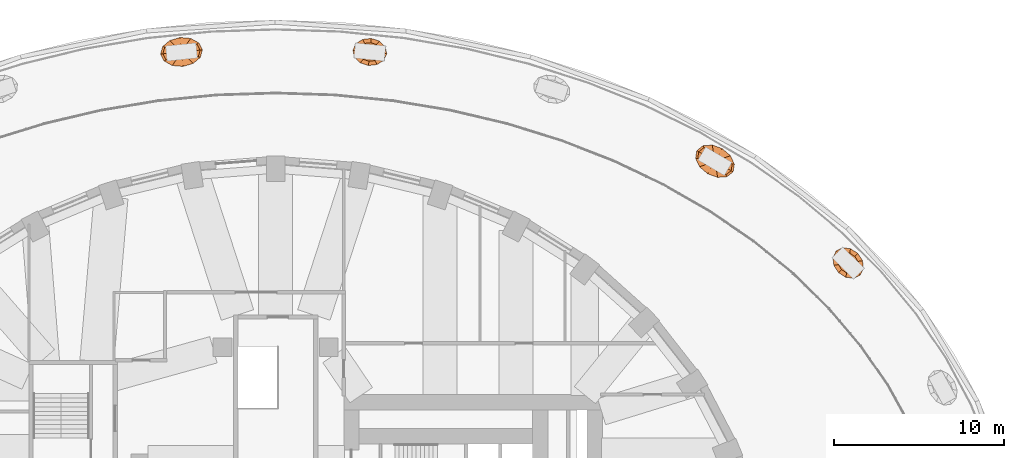
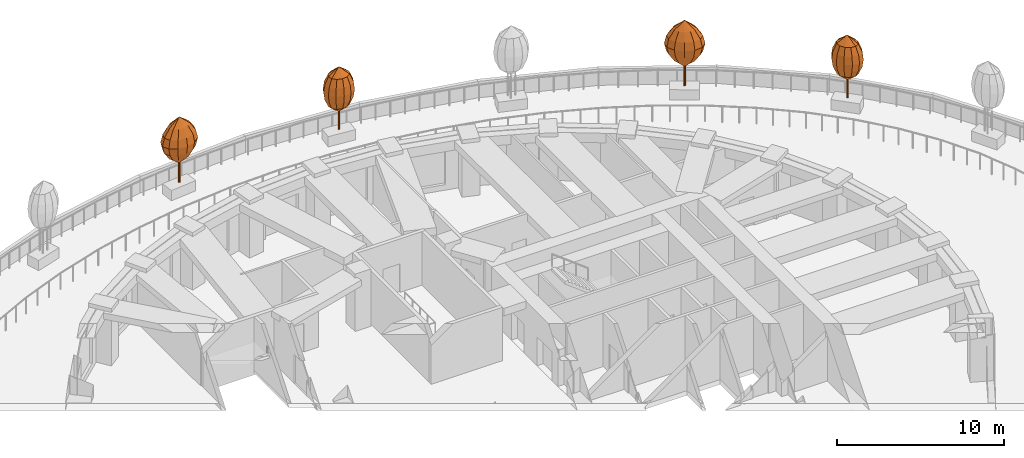
# One storey, part 17 of 17: 4 geographic elements.
"""IFC4 building model written with IfcOpenShell, lengths in metres."""

from ifc_helpers import new_model, si_unit, direction, frame, origin, place, context, subcontext, project, spatial, faceted_brep, material, constituent, constituent_set, type_object, element, save


model = new_model("IFC4")

# Units and contexts
model_context = context("Model", 3, precision=1e-05, world=origin(), true_north=direction((0.0, 1.0)))
body_context = subcontext(model_context, "Body", "Model", "MODEL_VIEW")
ifc_project = project(units=[si_unit("LENGTHUNIT", "METRE"), si_unit("AREAUNIT", "SQUARE_METRE"), si_unit("VOLUMEUNIT", "CUBIC_METRE"), si_unit("PLANEANGLEUNIT", "RADIAN"), si_unit("MASSUNIT", "GRAM", prefix="KILO")], contexts=[model_context])

# Site, building, storey
site_placement = place(None, origin())
site = spatial("IfcSite", under=ifc_project, at=site_placement, CompositionType="ELEMENT")
building_placement = place(site_placement, origin())
building = spatial("IfcBuilding", under=site, at=building_placement, Name="Taillehof Tower", CompositionType="ELEMENT")
storey_placement = place(building_placement, frame((0.0, 0.0, 17.5)))
storey = spatial("IfcBuildingStorey", under=building, at=storey_placement, Name="L03", CompositionType="ELEMENT", Elevation=17.5)

# Geographic elements
ifc_material_1 = material(Name="Tree bark", Category="timber")
ifc_constituent_1 = constituent(ifc_material_1, Name="Trunk", Category="timber")
ifc_material_2 = material(Name="Tree foliage")
ifc_constituent_2 = constituent(ifc_material_2, Name="Crown")
ifc_constituent_set_1 = constituent_set(constituents=[ifc_constituent_1, ifc_constituent_2], Name="Tree TR6 Field maple")
geographic_element_type_1 = type_object("IfcGeographicElementType", Name="Tree TR6 Field maple", PredefinedType="USERDEFINED", material=ifc_constituent_set_1)
geographic_element_1_placement = place(storey_placement, frame((25.8115234375, 25.70458984375, 0.75)))
element("IfcGeographicElement", 1, at=geographic_element_1_placement, inside=storey, type_object=geographic_element_type_1, Name="Tree TR6 Field maple", ObjectType="TREE", PredefinedType="USERDEFINED", context=body_context, shape_type="Brep", body=[
    faceted_brep([(0.070068359375, 0.0, 0.0), (0.049560546875, 0.049560546875, 0.0), (0.049560546875, 0.049560546875, 2.590087890625), (0.070068359375, 0.0, 2.590087890625), (0.0, 0.070068359375, 0.0), (0.0, 0.070068359375, 2.590087890625), (-0.049560546875, 0.049560546875, 0.0), (-0.049560546875, 0.049560546875, 2.590087890625), (-0.070068359375, 0.0, 0.0), (-0.070068359375, 0.0, 2.590087890625), (-0.049560546875, -0.049560546875, 0.0), (-0.049560546875, -0.049560546875, 2.590087890625), (0.0, -0.070068359375, 0.0), (0.0, -0.070068359375, 2.590087890625), (0.049560546875, -0.049560546875, 0.0), (0.049560546875, -0.049560546875, 2.590087890625)], [[[0, 1, 2, 3]], [[1, 4, 5, 2]], [[4, 6, 7, 5]], [[6, 8, 9, 7]], [[8, 10, 11, 9]], [[10, 12, 13, 11]], [[12, 14, 15, 13]], [[14, 0, 3, 15]], [[14, 12, 10, 8, 6, 4, 1, 0]], [[3, 2, 5, 7, 9, 11, 13, 15]]]),
    faceted_brep([(0.0, 0.0, 1.39990234375), (-0.654052734375, 0.098876953125, 1.966552734375), (-0.61181640625, 0.35888671875, 1.966552734375), (-0.52099609375, -0.1875, 1.966552734375), (-0.248291015625, -0.423583984375, 1.966552734375), (0.0908203125, -0.546142578125, 1.966552734375), (0.40576171875, -0.5224609375, 1.966552734375), (0.61181640625, -0.35888671875, 1.966552734375), (0.654052734375, -0.098876953125, 1.966552734375), (0.52099609375, 0.1875, 1.966552734375), (0.248291015625, 0.423583984375, 1.966552734375), (-0.0908203125, 0.546142578125, 1.966552734375), (-0.40576171875, 0.5224609375, 1.966552734375), (-1.01513671875, 0.153564453125, 2.533447265625), (-0.949462890625, 0.556884765625, 2.533447265625), (-0.80859375, -0.291015625, 2.533447265625), (-0.385498046875, -0.657470703125, 2.533447265625), (0.140869140625, -0.84765625, 2.533447265625), (0.629638671875, -0.810791015625, 2.533447265625), (0.949462890625, -0.556884765625, 2.533447265625), (1.01513671875, -0.153564453125, 2.533447265625), (0.80859375, 0.291015625, 2.533447265625), (0.385498046875, 0.657470703125, 2.533447265625), (-0.140869140625, 0.84765625, 2.533447265625), (-0.629638671875, 0.810791015625, 2.533447265625), (-1.138916015625, 0.172119140625, 3.10009765625), (-1.0654296875, 0.624755859375, 3.10009765625), (-0.9072265625, -0.326416015625, 3.10009765625), (-0.432373046875, -0.737548828125, 3.10009765625), (0.158203125, -0.951171875, 3.10009765625), (0.706298828125, -0.90966796875, 3.10009765625), (1.0654296875, -0.624755859375, 3.10009765625), (1.138916015625, -0.172119140625, 3.10009765625), (0.9072265625, 0.326416015625, 3.10009765625), (0.432373046875, 0.737548828125, 3.10009765625), (-0.158203125, 0.951171875, 3.10009765625), (-0.706298828125, 0.90966796875, 3.10009765625), (-1.01513671875, 0.153564453125, 3.666748046875), (-0.949462890625, 0.556884765625, 3.666748046875), (-0.80859375, -0.291015625, 3.666748046875), (-0.385498046875, -0.657470703125, 3.666748046875), (0.140869140625, -0.84765625, 3.666748046875), (0.629638671875, -0.810791015625, 3.666748046875), (0.949462890625, -0.556884765625, 3.666748046875), (1.01513671875, -0.153564453125, 3.666748046875), (0.80859375, 0.291015625, 3.666748046875), (0.385498046875, 0.657470703125, 3.666748046875), (-0.140869140625, 0.84765625, 3.666748046875), (-0.629638671875, 0.810791015625, 3.666748046875), (-0.654052734375, 0.098876953125, 4.2333984375), (-0.61181640625, 0.35888671875, 4.2333984375), (-0.52099609375, -0.1875, 4.2333984375), (-0.248291015625, -0.423583984375, 4.2333984375), (0.0908203125, -0.546142578125, 4.2333984375), (0.40576171875, -0.5224609375, 4.2333984375), (0.61181640625, -0.35888671875, 4.2333984375), (0.654052734375, -0.098876953125, 4.2333984375), (0.52099609375, 0.1875, 4.2333984375), (0.248291015625, 0.423583984375, 4.2333984375), (-0.0908203125, 0.546142578125, 4.2333984375), (-0.40576171875, 0.5224609375, 4.2333984375), (0.0, 0.0, 4.800048828125)], [[[0, 1, 2]], [[0, 3, 1]], [[0, 4, 3]], [[0, 5, 4]], [[0, 6, 5]], [[0, 7, 6]], [[0, 8, 7]], [[0, 9, 8]], [[0, 10, 9]], [[0, 11, 10]], [[0, 12, 11]], [[0, 2, 12]], [[2, 1, 13, 14]], [[1, 3, 15, 13]], [[3, 4, 16, 15]], [[4, 5, 17, 16]], [[5, 6, 18, 17]], [[6, 7, 19, 18]], [[7, 8, 20, 19]], [[8, 9, 21, 20]], [[9, 10, 22, 21]], [[10, 11, 23, 22]], [[11, 12, 24, 23]], [[12, 2, 14, 24]], [[14, 13, 25, 26]], [[13, 15, 27, 25]], [[15, 16, 28, 27]], [[16, 17, 29, 28]], [[17, 18, 30, 29]], [[18, 19, 31, 30]], [[19, 20, 32, 31]], [[20, 21, 33, 32]], [[21, 22, 34, 33]], [[22, 23, 35, 34]], [[23, 24, 36, 35]], [[24, 14, 26, 36]], [[26, 25, 37, 38]], [[25, 27, 39, 37]], [[27, 28, 40, 39]], [[28, 29, 41, 40]], [[29, 30, 42, 41]], [[30, 31, 43, 42]], [[31, 32, 44, 43]], [[32, 33, 45, 44]], [[33, 34, 46, 45]], [[34, 35, 47, 46]], [[35, 36, 48, 47]], [[36, 26, 38, 48]], [[38, 37, 49, 50]], [[37, 39, 51, 49]], [[39, 40, 52, 51]], [[40, 41, 53, 52]], [[41, 42, 54, 53]], [[42, 43, 55, 54]], [[43, 44, 56, 55]], [[44, 45, 57, 56]], [[45, 46, 58, 57]], [[46, 47, 59, 58]], [[47, 48, 60, 59]], [[48, 38, 50, 60]], [[50, 49, 61]], [[49, 51, 61]], [[51, 52, 61]], [[52, 53, 61]], [[53, 54, 61]], [[54, 55, 61]], [[55, 56, 61]], [[56, 57, 61]], [[57, 58, 61]], [[58, 59, 61]], [[59, 60, 61]], [[60, 50, 61]]]),
])
geographic_element_2_placement = place(storey_placement, frame((-5.5341796875, 32.122802734375, 0.75)))
element("IfcGeographicElement", 2, at=geographic_element_2_placement, inside=storey, type_object=geographic_element_type_1, Name="Tree TR6 Field maple", ObjectType="TREE", PredefinedType="USERDEFINED", context=body_context, shape_type="Brep", body=[
    faceted_brep([(0.070068359375, 0.0, 0.0), (0.049560546875, 0.049560546875, 0.0), (0.049560546875, 0.049560546875, 2.590087890625), (0.070068359375, 0.0, 2.590087890625), (0.0, 0.070068359375, 0.0), (0.0, 0.070068359375, 2.590087890625), (-0.049560546875, 0.049560546875, 0.0), (-0.049560546875, 0.049560546875, 2.590087890625), (-0.070068359375, 0.0, 0.0), (-0.070068359375, 0.0, 2.590087890625), (-0.049560546875, -0.049560546875, 0.0), (-0.049560546875, -0.049560546875, 2.590087890625), (0.0, -0.070068359375, 0.0), (0.0, -0.070068359375, 2.590087890625), (0.049560546875, -0.049560546875, 0.0), (0.049560546875, -0.049560546875, 2.590087890625)], [[[0, 1, 2, 3]], [[1, 4, 5, 2]], [[4, 6, 7, 5]], [[6, 8, 9, 7]], [[8, 10, 11, 9]], [[10, 12, 13, 11]], [[12, 14, 15, 13]], [[14, 0, 3, 15]], [[14, 12, 10, 8, 6, 4, 1, 0]], [[3, 2, 5, 7, 9, 11, 13, 15]]]),
    faceted_brep([(0.0, 0.0, 1.39990234375), (-0.586669921875, -0.305908203125, 1.966552734375), (-0.705810546875, -0.071044921875, 1.966552734375), (-0.310302734375, -0.458740234375, 1.966552734375), (0.049072265625, -0.488525390625, 1.966552734375), (0.3955078125, -0.3876953125, 1.966552734375), (0.6357421875, -0.182861328125, 1.966552734375), (0.705810546875, 0.071044921875, 1.966552734375), (0.586669921875, 0.305908203125, 1.966552734375), (0.310302734375, 0.458740234375, 1.966552734375), (-0.049072265625, 0.488525390625, 1.966552734375), (-0.3955078125, 0.3876953125, 1.966552734375), (-0.6357421875, 0.182861328125, 1.966552734375), (-0.910400390625, -0.474609375, 2.533447265625), (-1.09521484375, -0.110107421875, 2.533447265625), (-0.4814453125, -0.711669921875, 2.533447265625), (0.076171875, -0.75830078125, 2.533447265625), (0.61376953125, -0.6015625, 2.533447265625), (0.986572265625, -0.28369140625, 2.533447265625), (1.09521484375, 0.110107421875, 2.533447265625), (0.910400390625, 0.474609375, 2.533447265625), (0.4814453125, 0.711669921875, 2.533447265625), (-0.076171875, 0.75830078125, 2.533447265625), (-0.61376953125, 0.6015625, 2.533447265625), (-0.986572265625, 0.28369140625, 2.533447265625), (-1.021484375, -0.532470703125, 3.10009765625), (-1.228759765625, -0.12353515625, 3.10009765625), (-0.540283203125, -0.798583984375, 3.10009765625), (0.085693359375, -0.8505859375, 3.10009765625), (0.6884765625, -0.6748046875, 3.10009765625), (1.10693359375, -0.318359375, 3.10009765625), (1.228759765625, 0.12353515625, 3.10009765625), (1.021484375, 0.532470703125, 3.10009765625), (0.540283203125, 0.798583984375, 3.10009765625), (-0.085693359375, 0.8505859375, 3.10009765625), (-0.6884765625, 0.6748046875, 3.10009765625), (-1.10693359375, 0.318359375, 3.10009765625), (-0.910400390625, -0.474609375, 3.666748046875), (-1.09521484375, -0.110107421875, 3.666748046875), (-0.4814453125, -0.711669921875, 3.666748046875), (0.076171875, -0.75830078125, 3.666748046875), (0.61376953125, -0.6015625, 3.666748046875), (0.986572265625, -0.28369140625, 3.666748046875), (1.09521484375, 0.110107421875, 3.666748046875), (0.910400390625, 0.474609375, 3.666748046875), (0.4814453125, 0.711669921875, 3.666748046875), (-0.076171875, 0.75830078125, 3.666748046875), (-0.61376953125, 0.6015625, 3.666748046875), (-0.986572265625, 0.28369140625, 3.666748046875), (-0.586669921875, -0.305908203125, 4.2333984375), (-0.705810546875, -0.071044921875, 4.2333984375), (-0.310302734375, -0.458740234375, 4.2333984375), (0.049072265625, -0.488525390625, 4.2333984375), (0.3955078125, -0.3876953125, 4.2333984375), (0.6357421875, -0.182861328125, 4.2333984375), (0.705810546875, 0.071044921875, 4.2333984375), (0.586669921875, 0.305908203125, 4.2333984375), (0.310302734375, 0.458740234375, 4.2333984375), (-0.049072265625, 0.488525390625, 4.2333984375), (-0.3955078125, 0.3876953125, 4.2333984375), (-0.6357421875, 0.182861328125, 4.2333984375), (0.0, 0.0, 4.800048828125)], [[[0, 1, 2]], [[0, 3, 1]], [[0, 4, 3]], [[0, 5, 4]], [[0, 6, 5]], [[0, 7, 6]], [[0, 8, 7]], [[0, 9, 8]], [[0, 10, 9]], [[0, 11, 10]], [[0, 12, 11]], [[0, 2, 12]], [[2, 1, 13, 14]], [[1, 3, 15, 13]], [[3, 4, 16, 15]], [[4, 5, 17, 16]], [[5, 6, 18, 17]], [[6, 7, 19, 18]], [[7, 8, 20, 19]], [[8, 9, 21, 20]], [[9, 10, 22, 21]], [[10, 11, 23, 22]], [[11, 12, 24, 23]], [[12, 2, 14, 24]], [[14, 13, 25, 26]], [[13, 15, 27, 25]], [[15, 16, 28, 27]], [[16, 17, 29, 28]], [[17, 18, 30, 29]], [[18, 19, 31, 30]], [[19, 20, 32, 31]], [[20, 21, 33, 32]], [[21, 22, 34, 33]], [[22, 23, 35, 34]], [[23, 24, 36, 35]], [[24, 14, 26, 36]], [[26, 25, 37, 38]], [[25, 27, 39, 37]], [[27, 28, 40, 39]], [[28, 29, 41, 40]], [[29, 30, 42, 41]], [[30, 31, 43, 42]], [[31, 32, 44, 43]], [[32, 33, 45, 44]], [[33, 34, 46, 45]], [[34, 35, 47, 46]], [[35, 36, 48, 47]], [[36, 26, 38, 48]], [[38, 37, 49, 50]], [[37, 39, 51, 49]], [[39, 40, 52, 51]], [[40, 41, 53, 52]], [[41, 42, 54, 53]], [[42, 43, 55, 54]], [[43, 44, 56, 55]], [[44, 45, 57, 56]], [[45, 46, 58, 57]], [[46, 47, 59, 58]], [[47, 48, 60, 59]], [[48, 38, 50, 60]], [[50, 49, 61]], [[49, 51, 61]], [[51, 52, 61]], [[52, 53, 61]], [[53, 54, 61]], [[54, 55, 61]], [[55, 56, 61]], [[56, 57, 61]], [[57, 58, 61]], [[58, 59, 61]], [[59, 60, 61]], [[60, 50, 61]]]),
])
ifc_material_3 = material(Name="Tree bark", Category="timber")
ifc_constituent_3 = constituent(ifc_material_3, Name="Trunk", Category="timber")
ifc_material_4 = material(Name="Tree foliage")
ifc_constituent_4 = constituent(ifc_material_4, Name="Crown")
ifc_constituent_set_2 = constituent_set(constituents=[ifc_constituent_3, ifc_constituent_4], Name="Tree TR8 Persian ironwood")
geographic_element_type_2 = type_object("IfcGeographicElementType", Name="Tree TR8 Persian ironwood", PredefinedType="USERDEFINED", material=ifc_constituent_set_2)
geographic_element_3_placement = place(storey_placement, frame((33.63818359375, 19.723876953125, 0.75)))
element("IfcGeographicElement", 3, at=geographic_element_3_placement, inside=storey, type_object=geographic_element_type_2, Name="Tree TR8 Persian ironwood", ObjectType="TREE", PredefinedType="USERDEFINED", context=body_context, shape_type="Brep", body=[
    faceted_brep([(0.06005859375, 0.0, 0.0), (0.04248046875, 0.04248046875, 0.0), (0.04248046875, 0.04248046875, 2.455078125), (0.06005859375, 0.0, 2.455078125), (0.0, 0.06005859375, 0.0), (0.0, 0.06005859375, 2.455078125), (-0.04248046875, 0.04248046875, 0.0), (-0.04248046875, 0.04248046875, 2.455078125), (-0.06005859375, 0.0, 0.0), (-0.06005859375, 0.0, 2.455078125), (-0.04248046875, -0.04248046875, 0.0), (-0.04248046875, -0.04248046875, 2.455078125), (0.0, -0.06005859375, 0.0), (0.0, -0.06005859375, 2.455078125), (0.04248046875, -0.04248046875, 0.0), (0.04248046875, -0.04248046875, 2.455078125)], [[[0, 1, 2, 3]], [[1, 4, 5, 2]], [[4, 6, 7, 5]], [[6, 8, 9, 7]], [[8, 10, 11, 9]], [[10, 12, 13, 11]], [[12, 14, 15, 13]], [[14, 0, 3, 15]], [[14, 12, 10, 8, 6, 4, 1, 0]], [[3, 2, 5, 7, 9, 11, 13, 15]]]),
    faceted_brep([(0.0, 0.0, 1.300048828125), (-0.61181640625, 0.223876953125, 1.85009765625), (-0.48388671875, 0.48193359375, 1.85009765625), (-0.575927734375, -0.09423828125, 1.85009765625), (-0.385498046875, -0.38720703125, 1.85009765625), (-0.092041015625, -0.576171875, 1.85009765625), (0.226318359375, -0.611083984375, 1.85009765625), (0.48388671875, -0.48193359375, 1.85009765625), (0.61181640625, -0.223876953125, 1.85009765625), (0.575927734375, 0.09423828125, 1.85009765625), (0.385498046875, 0.38720703125, 1.85009765625), (0.092041015625, 0.576171875, 1.85009765625), (-0.226318359375, 0.611083984375, 1.85009765625), (-0.82763671875, 0.302734375, 2.39990234375), (-0.65478515625, 0.65185546875, 2.39990234375), (-0.779052734375, -0.127685546875, 2.39990234375), (-0.521484375, -0.523681640625, 2.39990234375), (-0.124267578125, -0.779541015625, 2.39990234375), (0.30615234375, -0.826416015625, 2.39990234375), (0.65478515625, -0.65185546875, 2.39990234375), (0.82763671875, -0.302734375, 2.39990234375), (0.779052734375, 0.127685546875, 2.39990234375), (0.521484375, 0.523681640625, 2.39990234375), (0.124267578125, 0.779541015625, 2.39990234375), (-0.30615234375, 0.826416015625, 2.39990234375), (-0.89599609375, 0.32763671875, 2.949951171875), (-0.70849609375, 0.70556640625, 2.949951171875), (-0.84326171875, -0.13818359375, 2.949951171875), (-0.564453125, -0.56689453125, 2.949951171875), (-0.134521484375, -0.84375, 2.949951171875), (0.331298828125, -0.89453125, 2.949951171875), (0.70849609375, -0.70556640625, 2.949951171875), (0.89599609375, -0.32763671875, 2.949951171875), (0.84326171875, 0.13818359375, 2.949951171875), (0.564453125, 0.56689453125, 2.949951171875), (0.134521484375, 0.84375, 2.949951171875), (-0.331298828125, 0.89453125, 2.949951171875), (-0.82763671875, 0.302734375, 3.5), (-0.65478515625, 0.65185546875, 3.5), (-0.779052734375, -0.127685546875, 3.5), (-0.521484375, -0.523681640625, 3.5), (-0.124267578125, -0.779541015625, 3.5), (0.30615234375, -0.826416015625, 3.5), (0.65478515625, -0.65185546875, 3.5), (0.82763671875, -0.302734375, 3.5), (0.779052734375, 0.127685546875, 3.5), (0.521484375, 0.523681640625, 3.5), (0.124267578125, 0.779541015625, 3.5), (-0.30615234375, 0.826416015625, 3.5), (-0.61181640625, 0.223876953125, 4.050048828125), (-0.48388671875, 0.48193359375, 4.050048828125), (-0.575927734375, -0.09423828125, 4.050048828125), (-0.385498046875, -0.38720703125, 4.050048828125), (-0.092041015625, -0.576171875, 4.050048828125), (0.226318359375, -0.611083984375, 4.050048828125), (0.48388671875, -0.48193359375, 4.050048828125), (0.61181640625, -0.223876953125, 4.050048828125), (0.575927734375, 0.09423828125, 4.050048828125), (0.385498046875, 0.38720703125, 4.050048828125), (0.092041015625, 0.576171875, 4.050048828125), (-0.226318359375, 0.611083984375, 4.050048828125), (0.0, 0.0, 4.60009765625)], [[[0, 1, 2]], [[0, 3, 1]], [[0, 4, 3]], [[0, 5, 4]], [[0, 6, 5]], [[0, 7, 6]], [[0, 8, 7]], [[0, 9, 8]], [[0, 10, 9]], [[0, 11, 10]], [[0, 12, 11]], [[0, 2, 12]], [[2, 1, 13, 14]], [[1, 3, 15, 13]], [[3, 4, 16, 15]], [[4, 5, 17, 16]], [[5, 6, 18, 17]], [[6, 7, 19, 18]], [[7, 8, 20, 19]], [[8, 9, 21, 20]], [[9, 10, 22, 21]], [[10, 11, 23, 22]], [[11, 12, 24, 23]], [[12, 2, 14, 24]], [[14, 13, 25, 26]], [[13, 15, 27, 25]], [[15, 16, 28, 27]], [[16, 17, 29, 28]], [[17, 18, 30, 29]], [[18, 19, 31, 30]], [[19, 20, 32, 31]], [[20, 21, 33, 32]], [[21, 22, 34, 33]], [[22, 23, 35, 34]], [[23, 24, 36, 35]], [[24, 14, 26, 36]], [[26, 25, 37, 38]], [[25, 27, 39, 37]], [[27, 28, 40, 39]], [[28, 29, 41, 40]], [[29, 30, 42, 41]], [[30, 31, 43, 42]], [[31, 32, 44, 43]], [[32, 33, 45, 44]], [[33, 34, 46, 45]], [[34, 35, 47, 46]], [[35, 36, 48, 47]], [[36, 26, 38, 48]], [[38, 37, 49, 50]], [[37, 39, 51, 49]], [[39, 40, 52, 51]], [[40, 41, 53, 52]], [[41, 42, 54, 53]], [[42, 43, 55, 54]], [[43, 44, 56, 55]], [[44, 45, 57, 56]], [[45, 46, 58, 57]], [[46, 47, 59, 58]], [[47, 48, 60, 59]], [[48, 38, 50, 60]], [[50, 49, 61]], [[49, 51, 61]], [[51, 52, 61]], [[52, 53, 61]], [[53, 54, 61]], [[54, 55, 61]], [[55, 56, 61]], [[56, 57, 61]], [[57, 58, 61]], [[58, 59, 61]], [[59, 60, 61]], [[60, 50, 61]]]),
])
geographic_element_4_placement = place(storey_placement, frame((5.5341796875, 32.122802734375, 0.75)))
element("IfcGeographicElement", 4, at=geographic_element_4_placement, inside=storey, type_object=geographic_element_type_2, Name="Tree TR8 Persian ironwood", ObjectType="TREE", PredefinedType="USERDEFINED", context=body_context, shape_type="Brep", body=[
    faceted_brep([(0.06005859375, 0.0, 0.0), (0.04248046875, 0.04248046875, 0.0), (0.04248046875, 0.04248046875, 2.455078125), (0.06005859375, 0.0, 2.455078125), (0.0, 0.06005859375, 0.0), (0.0, 0.06005859375, 2.455078125), (-0.04248046875, 0.04248046875, 0.0), (-0.04248046875, 0.04248046875, 2.455078125), (-0.06005859375, 0.0, 0.0), (-0.06005859375, 0.0, 2.455078125), (-0.04248046875, -0.04248046875, 0.0), (-0.04248046875, -0.04248046875, 2.455078125), (0.0, -0.06005859375, 0.0), (0.0, -0.06005859375, 2.455078125), (0.04248046875, -0.04248046875, 0.0), (0.04248046875, -0.04248046875, 2.455078125)], [[[0, 1, 2, 3]], [[1, 4, 5, 2]], [[4, 6, 7, 5]], [[6, 8, 9, 7]], [[8, 10, 11, 9]], [[10, 12, 13, 11]], [[12, 14, 15, 13]], [[14, 0, 3, 15]], [[14, 12, 10, 8, 6, 4, 1, 0]], [[3, 2, 5, 7, 9, 11, 13, 15]]]),
    faceted_brep([(0.0, 0.0, 1.300048828125), (-0.615966796875, -0.212646484375, 1.85009765625), (-0.6796875, 0.068359375, 1.85009765625), (-0.38720703125, -0.436767578125, 1.85009765625), (-0.0546875, -0.543701171875, 1.85009765625), (0.29248046875, -0.505126953125, 1.85009765625), (0.561279296875, -0.3310546875, 1.85009765625), (0.6796875, -0.068359375, 1.85009765625), (0.615966796875, 0.212646484375, 1.85009765625), (0.38720703125, 0.436767578125, 1.85009765625), (0.0546875, 0.543701171875, 1.85009765625), (-0.29248046875, 0.505126953125, 1.85009765625), (-0.561279296875, 0.3310546875, 1.85009765625), (-0.8330078125, -0.28759765625, 2.39990234375), (-0.919189453125, 0.092529296875, 2.39990234375), (-0.523681640625, -0.590576171875, 2.39990234375), (-0.073974609375, -0.7353515625, 2.39990234375), (0.3955078125, -0.68310546875, 2.39990234375), (0.759033203125, -0.44775390625, 2.39990234375), (0.919189453125, -0.092529296875, 2.39990234375), (0.8330078125, 0.28759765625, 2.39990234375), (0.523681640625, 0.590576171875, 2.39990234375), (0.073974609375, 0.7353515625, 2.39990234375), (-0.3955078125, 0.68310546875, 2.39990234375), (-0.759033203125, 0.44775390625, 2.39990234375), (-0.901611328125, -0.311279296875, 2.949951171875), (-0.994873046875, 0.10009765625, 2.949951171875), (-0.56689453125, -0.639404296875, 2.949951171875), (-0.080078125, -0.7958984375, 2.949951171875), (0.42822265625, -0.739501953125, 2.949951171875), (0.821533203125, -0.484619140625, 2.949951171875), (0.994873046875, -0.10009765625, 2.949951171875), (0.901611328125, 0.311279296875, 2.949951171875), (0.56689453125, 0.639404296875, 2.949951171875), (0.080078125, 0.7958984375, 2.949951171875), (-0.42822265625, 0.739501953125, 2.949951171875), (-0.821533203125, 0.484619140625, 2.949951171875), (-0.8330078125, -0.28759765625, 3.5), (-0.919189453125, 0.092529296875, 3.5), (-0.523681640625, -0.590576171875, 3.5), (-0.073974609375, -0.7353515625, 3.5), (0.3955078125, -0.68310546875, 3.5), (0.759033203125, -0.44775390625, 3.5), (0.919189453125, -0.092529296875, 3.5), (0.8330078125, 0.28759765625, 3.5), (0.523681640625, 0.590576171875, 3.5), (0.073974609375, 0.7353515625, 3.5), (-0.3955078125, 0.68310546875, 3.5), (-0.759033203125, 0.44775390625, 3.5), (-0.615966796875, -0.212646484375, 4.050048828125), (-0.6796875, 0.068359375, 4.050048828125), (-0.38720703125, -0.436767578125, 4.050048828125), (-0.0546875, -0.543701171875, 4.050048828125), (0.29248046875, -0.505126953125, 4.050048828125), (0.561279296875, -0.3310546875, 4.050048828125), (0.6796875, -0.068359375, 4.050048828125), (0.615966796875, 0.212646484375, 4.050048828125), (0.38720703125, 0.436767578125, 4.050048828125), (0.0546875, 0.543701171875, 4.050048828125), (-0.29248046875, 0.505126953125, 4.050048828125), (-0.561279296875, 0.3310546875, 4.050048828125), (0.0, 0.0, 4.60009765625)], [[[0, 1, 2]], [[0, 3, 1]], [[0, 4, 3]], [[0, 5, 4]], [[0, 6, 5]], [[0, 7, 6]], [[0, 8, 7]], [[0, 9, 8]], [[0, 10, 9]], [[0, 11, 10]], [[0, 12, 11]], [[0, 2, 12]], [[2, 1, 13, 14]], [[1, 3, 15, 13]], [[3, 4, 16, 15]], [[4, 5, 17, 16]], [[5, 6, 18, 17]], [[6, 7, 19, 18]], [[7, 8, 20, 19]], [[8, 9, 21, 20]], [[9, 10, 22, 21]], [[10, 11, 23, 22]], [[11, 12, 24, 23]], [[12, 2, 14, 24]], [[14, 13, 25, 26]], [[13, 15, 27, 25]], [[15, 16, 28, 27]], [[16, 17, 29, 28]], [[17, 18, 30, 29]], [[18, 19, 31, 30]], [[19, 20, 32, 31]], [[20, 21, 33, 32]], [[21, 22, 34, 33]], [[22, 23, 35, 34]], [[23, 24, 36, 35]], [[24, 14, 26, 36]], [[26, 25, 37, 38]], [[25, 27, 39, 37]], [[27, 28, 40, 39]], [[28, 29, 41, 40]], [[29, 30, 42, 41]], [[30, 31, 43, 42]], [[31, 32, 44, 43]], [[32, 33, 45, 44]], [[33, 34, 46, 45]], [[34, 35, 47, 46]], [[35, 36, 48, 47]], [[36, 26, 38, 48]], [[38, 37, 49, 50]], [[37, 39, 51, 49]], [[39, 40, 52, 51]], [[40, 41, 53, 52]], [[41, 42, 54, 53]], [[42, 43, 55, 54]], [[43, 44, 56, 55]], [[44, 45, 57, 56]], [[45, 46, 58, 57]], [[46, 47, 59, 58]], [[47, 48, 60, 59]], [[48, 38, 50, 60]], [[50, 49, 61]], [[49, 51, 61]], [[51, 52, 61]], [[52, 53, 61]], [[53, 54, 61]], [[54, 55, 61]], [[55, 56, 61]], [[56, 57, 61]], [[57, 58, 61]], [[58, 59, 61]], [[59, 60, 61]], [[60, 50, 61]]]),
])

save(model, "model.ifc")
